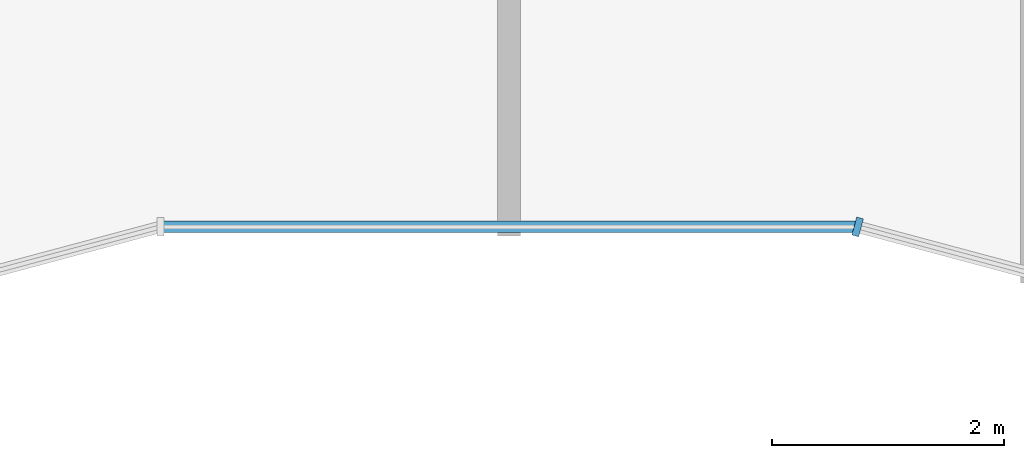
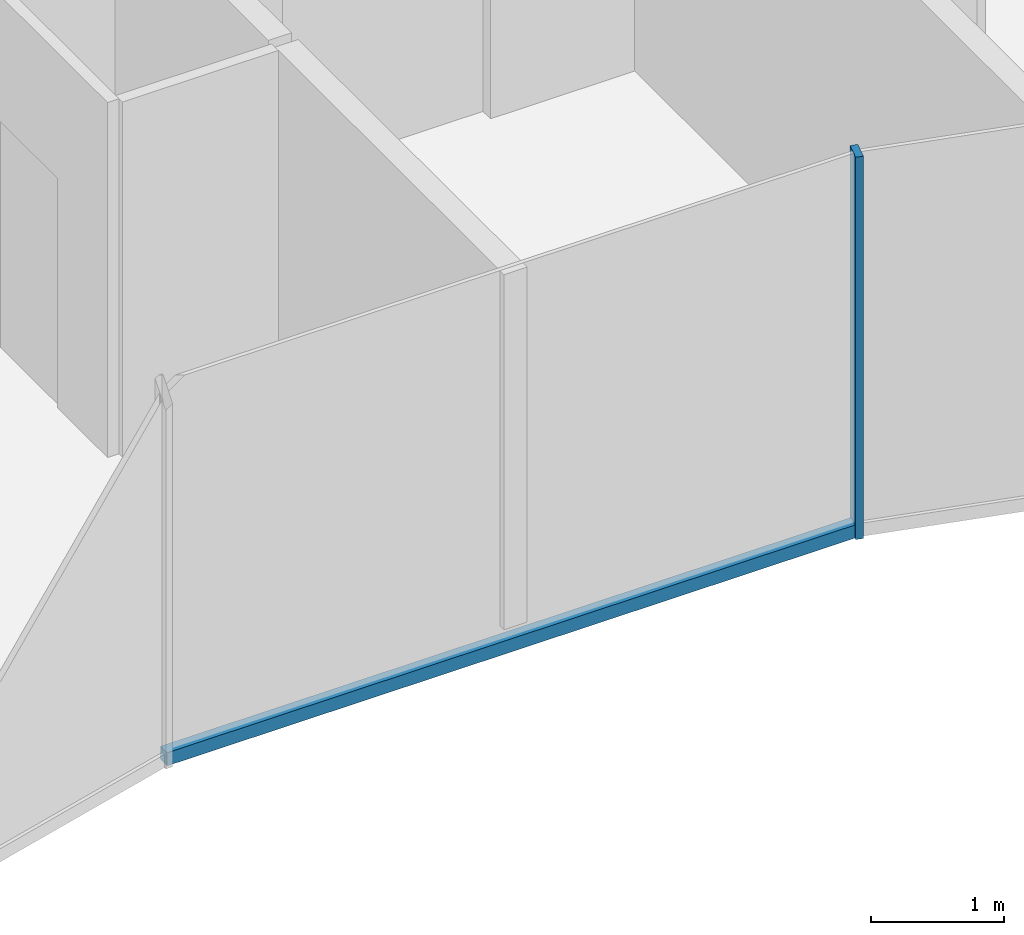
# One storey, part 3 of 15: 2 members, 2 elements without a shape of their own.
"""IFC4 building model written with IfcOpenShell, lengths in metres."""

import ifcopenshell
import ifcopenshell.guid

model = None  # the IFC model being written
_history = None  # IfcOwnerHistory: only IFC2X3 demands one
_inside = {}  # id of a spatial element -> (the spatial element, [elements in it])
_under = {}  # id of a project, library or spatial element -> (it, [spatial elements below it])
_declared = {}  # id of a project -> (the project, [libraries it declares])
_typed = {}  # id of a type object -> (the type object, [elements of that type])
_made_of = {}  # id of a material, layer set ... -> (it, [elements and type objects made of it])


def new_model(schema):
    """Start an empty IFC model of exactly this schema.

    Asked for "IFC4X3", IfcOpenShell would pick the latest addendum, in which some entities
    have other attributes; the version numbers below select the first issue.
    IFC2X3 requires an IfcOwnerHistory on every rooted entity: one is made here for all.
    """
    global model, _history
    if schema == "IFC4X3":
        model = ifcopenshell.file(schema_version=(4, 3, 0, 0))
    else:
        model = ifcopenshell.file(schema=schema)
    _inside.clear()
    _under.clear()
    _declared.clear()
    _typed.clear()
    _made_of.clear()
    _history = None
    if model.schema == "IFC2X3":
        org = make("IfcOrganization", Name="unknown")
        user = make(
            "IfcPersonAndOrganization",
            ThePerson=make("IfcPerson", FamilyName="unknown"),
            TheOrganization=org,
        )
        app = make(
            "IfcApplication",
            ApplicationDeveloper=org,
            Version="unknown",
            ApplicationFullName="unknown",
            ApplicationIdentifier="unknown",
        )
        _history = make(
            "IfcOwnerHistory",
            OwningUser=user,
            OwningApplication=app,
            ChangeAction="ADDED",
            CreationDate=0,
        )
    return model


def make(cls, **values):
    """One entity of the class cls with the attributes given. An attribute that is None is left unset."""
    return model.create_entity(
        cls, **{name: value for name, value in values.items() if value is not None}
    )


def rooted(cls, **values):
    """An entity with a GlobalId (a new one), such as an element, a storey or a relation."""
    return make(cls, GlobalId=ifcopenshell.guid.new(), OwnerHistory=_history, **values)


def si_unit(unit_type, name, prefix=None):
    """IfcSIUnit, for example si_unit("LENGTHUNIT", "METRE", prefix="MILLI")."""
    return make("IfcSIUnit", UnitType=unit_type, Prefix=prefix, Name=name)


def assignment(units):
    """IfcUnitAssignment: the units of a project."""
    return None if units is None else make("IfcUnitAssignment", Units=units)


def point(xyz):
    """IfcCartesianPoint."""
    return None if xyz is None else make("IfcCartesianPoint", Coordinates=xyz)


def direction(xyz):
    """IfcDirection."""
    return None if xyz is None else make("IfcDirection", DirectionRatios=xyz)


def frame(location, z_axis=None, x_axis=None):
    """IfcAxis2Placement3D, a coordinate frame: its origin and axes. An axis left out is left unset."""
    return make(
        "IfcAxis2Placement3D",
        Location=point(location),
        Axis=direction(z_axis),
        RefDirection=direction(x_axis),
    )


def frame_2d(location, x_axis=None):
    """IfcAxis2Placement2D, a coordinate frame in the plane: its origin and x axis."""
    return make(
        "IfcAxis2Placement2D", Location=point(location), RefDirection=direction(x_axis)
    )


def origin():
    """The frame at (0, 0, 0) with its axes left unset."""
    return frame((0.0, 0.0, 0.0))


def origin_2d():
    """The frame at (0, 0) in the plane with its x axis left unset."""
    return frame_2d((0.0, 0.0))


def place(relative_to, where):
    """IfcLocalPlacement: puts the frame where relative to a parent placement (None: the world)."""
    return make(
        "IfcLocalPlacement", PlacementRelTo=relative_to, RelativePlacement=where
    )


def context(
    kind, dimensions, precision=None, world=None, true_north=None, identifier=None
):
    """IfcGeometricRepresentationContext, for example the 3D "Model" context."""
    return make(
        "IfcGeometricRepresentationContext",
        ContextIdentifier=identifier,
        ContextType=kind,
        CoordinateSpaceDimension=dimensions,
        Precision=precision,
        WorldCoordinateSystem=world,
        TrueNorth=true_north,
    )


def subcontext(parent, identifier, kind, view, scale=None):
    """IfcGeometricRepresentationSubContext, for example "Body" below "Model"."""
    return make(
        "IfcGeometricRepresentationSubContext",
        ContextIdentifier=identifier,
        ContextType=kind,
        ParentContext=parent,
        TargetScale=scale,
        TargetView=view,
    )


def project(units=None, contexts=None):
    """IfcProject with its units and contexts."""
    return rooted(
        "IfcProject",
        Name="project",
        RepresentationContexts=contexts,
        UnitsInContext=assignment(units),
    )


def spatial(cls, under=None, at=None, **own):
    """A site, building, storey or space (cls), placed at a placement, below another one or the project."""
    s = rooted(cls, ObjectPlacement=at, **own)
    if under is not None:
        _under.setdefault(under.id(), (under, []))[1].append(s)
    return s


def profile(cls, at=None, kind="AREA", **sizes):
    """A parametric profile (cls). Its sizes go by their IFC names, for example OverallWidth=200.0."""
    return make(cls, ProfileType=kind, Position=at, **sizes)


def rectangle(**sizes):
    """IfcRectangleProfileDef."""
    return profile("IfcRectangleProfileDef", **sizes)


def extrude(swept, where, along, depth):
    """IfcExtrudedAreaSolid: the profile swept, set in the frame where, extruded along a direction by depth."""
    return make(
        "IfcExtrudedAreaSolid",
        SweptArea=swept,
        Position=where,
        ExtrudedDirection=direction(along),
        Depth=depth,
    )


def shape(context_of_items, identifier, shape_type, items):
    """IfcShapeRepresentation: the items that make up one representation, for example the "Body"."""
    return make(
        "IfcShapeRepresentation",
        ContextOfItems=context_of_items,
        RepresentationIdentifier=identifier,
        RepresentationType=shape_type,
        Items=items,
    )


def material(Name=None, Category=None):
    """IfcMaterial."""
    return make("IfcMaterial", Name=Name, Category=Category)


def layer(
    of_material, thickness, ventilated=None, Name=None, Category=None, Priority=None
):
    """IfcMaterialLayer: one layer of a wall or slab, of a material (None: an air gap)."""
    return make(
        "IfcMaterialLayer",
        Material=of_material,
        LayerThickness=thickness,
        IsVentilated=ventilated,
        Name=Name,
        Category=Category,
        Priority=Priority,
    )


def layer_set(layers, Name=None):
    """IfcMaterialLayerSet."""
    return make("IfcMaterialLayerSet", MaterialLayers=layers, LayerSetName=Name)


def material_profile(
    of_material, cross_section, Name=None, Category=None, Priority=None
):
    """IfcMaterialProfile: a cross section and its material."""
    return make(
        "IfcMaterialProfile",
        Name=Name,
        Material=of_material,
        Profile=cross_section,
        Priority=Priority,
        Category=Category,
    )


def profile_set(profiles, Name=None, composite=None):
    """IfcMaterialProfileSet."""
    return make(
        "IfcMaterialProfileSet",
        Name=Name,
        MaterialProfiles=profiles,
        CompositeProfile=composite,
    )


def made_of(thing, what):
    """Note that an element or type object is made of a material, layer set ...; save() writes the relation."""
    if what is not None:
        _made_of.setdefault(what.id(), (what, []))[1].append(thing)
    return thing


def type_object(cls, material=None, **own):
    """A type object (cls), such as IfcWallType, which elements share."""
    return made_of(rooted(cls, **own), material)


def element(
    cls,
    number,
    at=None,
    inside=None,
    cuts=None,
    type_object=None,
    material=None,
    context=None,
    identifier="Body",
    shape_type=None,
    held_by="IfcProductDefinitionShape",
    body=None,
    shapes=None,
    **own,
):
    """One element of the class cls, such as IfcWall. Its Tag is "e" and its number.

    at: its placement. inside: the storey or other place that contains it. cuts: it is an
    opening in that element (IfcRelVoidsElement). A single representation is given by context,
    identifier, shape_type and body (its items); several are given by shapes. held_by: the class
    of the entity that holds the representations. save() writes the other relations.
    """
    e = rooted(cls, Tag="e%d" % number, ObjectPlacement=at, **own)
    if body is not None:
        shapes = [shape(context, identifier, shape_type, body)]
    if shapes is not None:
        e.Representation = make(held_by, Representations=shapes)
    if inside is not None:
        _inside.setdefault(inside.id(), (inside, []))[1].append(e)
    if cuts is not None:
        rooted(
            "IfcRelVoidsElement", RelatingBuildingElement=cuts, RelatedOpeningElement=e
        )
    if type_object is not None:
        _typed.setdefault(type_object.id(), (type_object, []))[1].append(e)
    return made_of(e, material)


def aggregate(whole, parts):
    """IfcRelAggregates: a whole, such as a stair, and the parts it consists of."""
    return rooted("IfcRelAggregates", RelatingObject=whole, RelatedObjects=parts)


def save(model, path):
    """Write the relations noted so far, then the file.

    IfcRelAggregates (storeys below a building ...), IfcRelContainedInSpatialStructure (elements
    in a storey), IfcRelDefinesByType, IfcRelAssociatesMaterial and IfcRelDeclares: one each for
    every whole, place, type object, material and project.
    """
    for whole, parts in _under.values():
        aggregate(whole, parts)
    for where, things in _inside.values():
        rooted(
            "IfcRelContainedInSpatialStructure",
            RelatedElements=things,
            RelatingStructure=where,
        )
    for kind, things in _typed.values():
        rooted("IfcRelDefinesByType", RelatedObjects=things, RelatingType=kind)
    for what, things in _made_of.values():
        rooted("IfcRelAssociatesMaterial", RelatedObjects=things, RelatingMaterial=what)
    for by, libraries in _declared.values():
        rooted("IfcRelDeclares", RelatingContext=by, RelatedDefinitions=libraries)
    model.write(path)


model = new_model("IFC4")

# Units and contexts
model_context = context("Model", 3, precision=1e-05, world=origin(), true_north=direction((0.0, 1.0)))
body_context = subcontext(model_context, "Body", "Model", "MODEL_VIEW")
ifc_project = project(units=[si_unit("LENGTHUNIT", "METRE"), si_unit("AREAUNIT", "SQUARE_METRE"), si_unit("VOLUMEUNIT", "CUBIC_METRE"), si_unit("PLANEANGLEUNIT", "RADIAN"), si_unit("MASSUNIT", "GRAM", prefix="KILO")], contexts=[model_context])

# Site, building, storey
site_placement = place(None, origin())
site = spatial("IfcSite", under=ifc_project, at=site_placement, CompositionType="ELEMENT")
building_placement = place(site_placement, origin())
building = spatial("IfcBuilding", under=site, at=building_placement, Name="Plateau Cross Towers", CompositionType="ELEMENT")
storey_placement = place(building_placement, frame((0.0, 0.0, 194.39990234375)))
storey = spatial("IfcBuildingStorey", under=building, at=storey_placement, Name="L50", CompositionType="ELEMENT", Elevation=194.39990234375)

# Curtain wall, member
ifc_material_1 = material(Name="Dark low-iron glass", Category="glass")
ifc_layer = layer(ifc_material_1, 0.260009765625)
ifc_layer_set = layer_set([ifc_layer], Name="Dark low-iron glass")
curtain_wall_type = type_object("IfcCurtainWallType", Name="Curtain wall fluted unitised CW-A", PredefinedType="NOTDEFINED", material=ifc_layer_set)
curtain_wall_1_placement = place(storey_placement, origin())
curtain_wall_1 = element("IfcCurtainWall", 1, at=curtain_wall_1_placement, inside=storey, type_object=curtain_wall_type, Name="ENV/A/L50/A300_16", PredefinedType="NOTDEFINED")
ifc_material_2 = material(Name="Black anodised aluminium", Category="aluminium")
ifc_material_profile_1 = material_profile(ifc_material_2, rectangle(XDim=0.06005859375, YDim=0.159912109375, at=origin_2d()), Name="MULLION 60x160")
ifc_profile_set_1 = profile_set([ifc_material_profile_1], Name="Black anodised aluminium")
member_type_1 = type_object("IfcMemberType", Name="Mullion 60x160 fluted unitised", PredefinedType="MULLION", material=ifc_profile_set_1)
member_1_placement = place(storey_placement, frame((30.0, 1.60693359375, -0.25), z_axis=(0.0, 0.0, 1.0), x_axis=(0.965957983404, -0.258699003279, 0.0)))
member_1 = element("IfcMember", 2, at=member_1_placement, type_object=member_type_1, Name="CW-A mullion 1", PredefinedType="MULLION", context=body_context, shape_type="SweptSolid", body=[
    extrude(rectangle(XDim=0.06005859375, YDim=0.159912109375, at=origin_2d()), origin(), (0.0, 0.0, 1.0), 3.5),
])
aggregate(curtain_wall_1, [member_1])

curtain_wall_2_placement = place(storey_placement, origin())
curtain_wall_2 = element("IfcCurtainWall", 3, at=curtain_wall_2_placement, inside=storey, type_object=curtain_wall_type, Name="ENV/A/L50/A240_16", PredefinedType="NOTDEFINED")
ifc_material_profile_2 = material_profile(ifc_material_2, rectangle(XDim=0.10009765625, YDim=0.1201171875, at=origin_2d()), Name="TRANSOM 100x120")
ifc_profile_set_2 = profile_set([ifc_material_profile_2], Name="Black anodised aluminium")
member_type_2 = type_object("IfcMemberType", Name="Transom 100x120 fluted unitised", PredefinedType="USERDEFINED", material=ifc_profile_set_2)
member_2_placement = place(storey_placement, frame((24.0, 1.60693359375, -0.18994140625), z_axis=(1.0, 0.0, 0.0), x_axis=(0.0, 1.0, 0.0)))
member_2 = element("IfcMember", 4, at=member_2_placement, type_object=member_type_2, Name="CW-A transom", ObjectType="TRANSOM", PredefinedType="USERDEFINED", context=body_context, shape_type="SweptSolid", body=[
    extrude(rectangle(XDim=0.10009765625, YDim=0.1201171875, at=origin_2d()), origin(), (0.0, 0.0, 1.0), 6.0),
])
aggregate(curtain_wall_2, [member_2])

save(model, "model.ifc")
